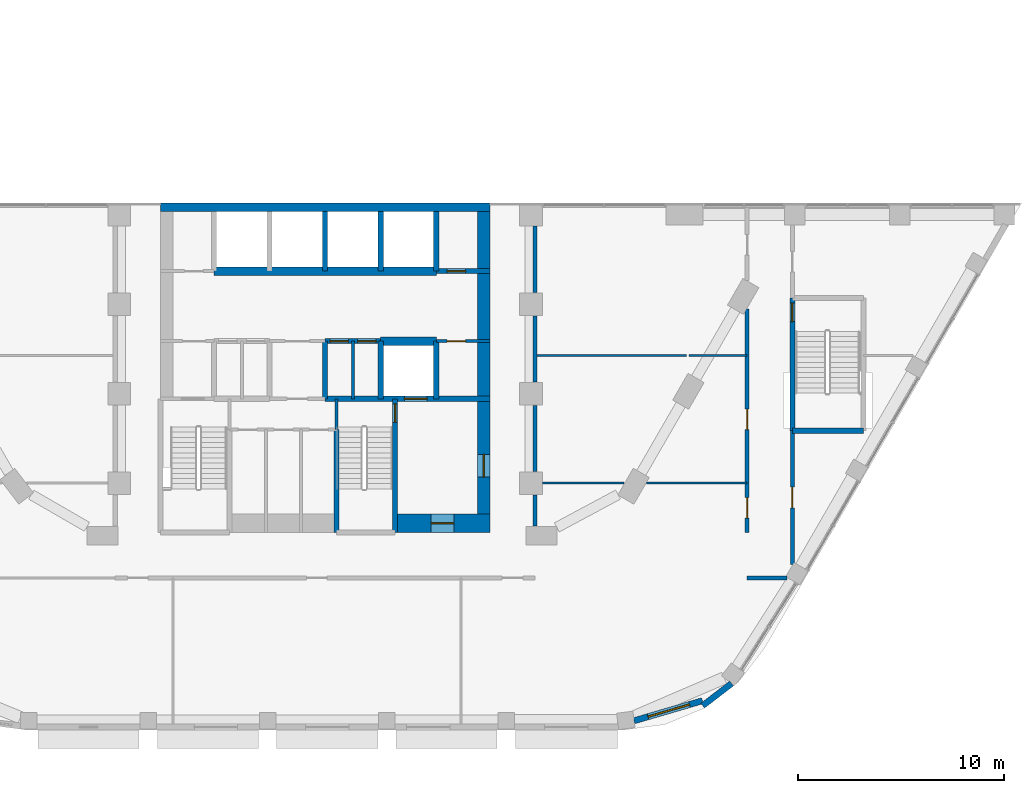
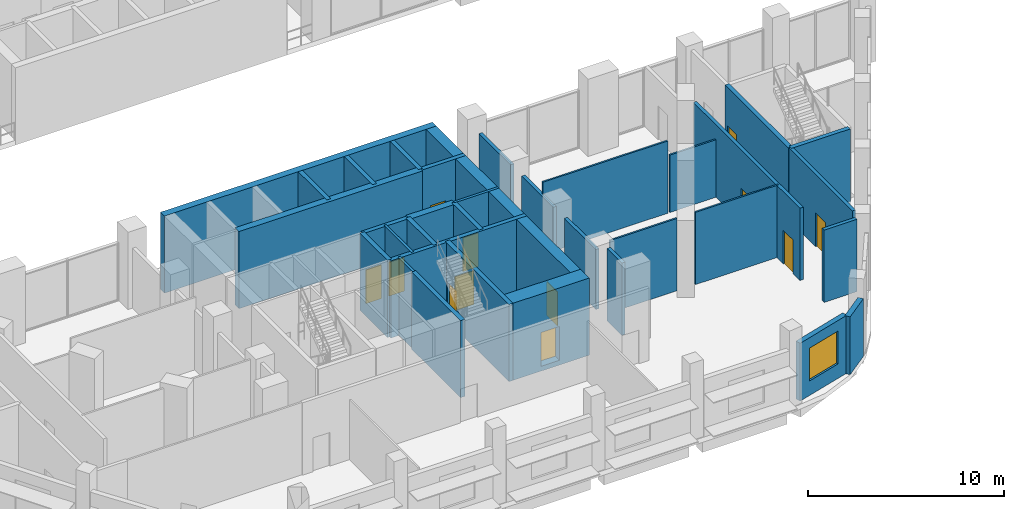
# One storey, part 17 of 45: 34 walls, 12 doors, 1 window, 13 openings.
"""IFC4 building model written with IfcOpenShell, lengths in metres."""

from ifc_helpers import new_model, si_unit, direction, frame, frame_2d, origin, place, context, subcontext, project, spatial, rectangle, extrude, material, layer, layer_set, type_object, element, fill, save


model = new_model("IFC4")

# Units and contexts
model_context = context("Model", 3, precision=1e-05, world=origin(), true_north=direction((0.0, 1.0)))
body_context = subcontext(model_context, "Body", "Model", "MODEL_VIEW")
ifc_project = project(units=[si_unit("LENGTHUNIT", "METRE"), si_unit("AREAUNIT", "SQUARE_METRE"), si_unit("VOLUMEUNIT", "CUBIC_METRE"), si_unit("PLANEANGLEUNIT", "RADIAN"), si_unit("MASSUNIT", "GRAM", prefix="KILO")], contexts=[model_context])

# Site, building, storey
site_placement = place(None, origin())
site = spatial("IfcSite", under=ifc_project, at=site_placement, CompositionType="ELEMENT")
building_placement = place(site_placement, origin())
building = spatial("IfcBuilding", under=site, at=building_placement, Name="Nakaniwa Court", CompositionType="ELEMENT")
storey_placement = place(building_placement, frame((0.0, 0.0, 6.60009765625)))
storey = spatial("IfcBuildingStorey", under=building, at=storey_placement, Name="L01", CompositionType="ELEMENT", Elevation=6.60009765625)

# Wall, opening, door
ifc_material_1 = material(Name="Acoustic double stud partition")
ifc_layer_1 = layer(ifc_material_1, 0.199951171875)
ifc_layer_set_1 = layer_set([ifc_layer_1], Name="Acoustic double stud partition")
wall_type_1 = type_object("IfcWallType", Name="Acoustic double stud partition 200", PredefinedType="PARTITIONING", material=ifc_layer_set_1)
wall_1_placement = place(storey_placement, frame((102.699951171875, 61.552978515625, 0.0), z_axis=(0.0, 0.0, 1.0), x_axis=(0.0, -1.0, 0.0)))
wall_1 = element("IfcWall", 1, at=wall_1_placement, inside=storey, type_object=wall_type_1, Name="Partition PW-083", PredefinedType="PARTITIONING", context=body_context, shape_type="SweptSolid", body=[
    extrude(rectangle(XDim=6.49853515625, YDim=0.199951171875, at=frame_2d((3.249267578125, 0.0))), origin(), (0.0, 0.0, 1.0), 4.5),
])
opening_1_placement = place(wall_1_placement, frame((2.75, 0.0, 0.0)))
opening_1 = element("IfcOpeningElement", 2, at=opening_1_placement, cuts=wall_1, Name="Opening D-02-10", PredefinedType="OPENING", context=body_context, shape_type="SweptSolid", body=[
    extrude(rectangle(XDim=1.0, YDim=2.10009765625, at=frame_2d((0.5, 1.050048828125))), frame((0.0, 0.10986328125, 0.0), z_axis=(0.0, -1.0, 0.0), x_axis=(1.0, 0.0, 0.0)), (0.0, 0.0, 1.0), 0.219970703125),
])
ifc_material_2 = material(Name="Solid core timber door set, black veneer", Category="wood")
door_type_1 = type_object("IfcDoorType", Name="Internal door 1000", OperationType="NOTDEFINED", PredefinedType="DOOR", material=ifc_material_2)
door_1_placement = place(opening_1_placement, origin())
door_1 = element("IfcDoor", 3, at=door_1_placement, inside=storey, type_object=door_type_1, Name="Door D-02-10 L01-045", OperationType="SINGLE_SWING_RIGHT", OverallHeight=2.10009765625, OverallWidth=1.0, PredefinedType="DOOR", context=body_context, shape_type="SweptSolid", body=[
    extrude(rectangle(XDim=1.0, YDim=2.10009765625, at=frame_2d((0.5, 1.050048828125))), frame((0.0, 0.02490234375, 0.0), z_axis=(0.0, -1.0, 0.0), x_axis=(1.0, 0.0, 0.0)), (0.0, 0.0, 1.0), 0.050048828125),
])
fill(opening_1, door_1)

# Wall, openings, doors
wall_2_placement = place(storey_placement, frame((100.5, 56.596923828125, 0.0), z_axis=(0.0, 0.0, 1.0), x_axis=(0.0, 1.0, 0.0)))
wall_2 = element("IfcWall", 4, at=wall_2_placement, inside=storey, type_object=wall_type_1, Name="Partition PW-087", PredefinedType="PARTITIONING", context=body_context, shape_type="SweptSolid", body=[
    extrude(rectangle(XDim=10.873291015625, YDim=0.199951171875, at=frame_2d((5.4365234375, 0.0))), origin(), (0.0, 0.0, 1.0), 4.5),
])
opening_2_placement = place(wall_2_placement, frame((5.0029296875, 0.0, 0.0)))
opening_2 = element("IfcOpeningElement", 5, at=opening_2_placement, cuts=wall_2, Name="Opening D-02-14", PredefinedType="OPENING", context=body_context, shape_type="SweptSolid", body=[
    extrude(rectangle(XDim=1.0, YDim=2.10009765625, at=frame_2d((0.5, 1.050048828125))), frame((0.0, 0.10986328125, 0.0), z_axis=(0.0, -1.0, 0.0), x_axis=(1.0, 0.0, 0.0)), (0.0, 0.0, 1.0), 0.219970703125),
])
opening_3_placement = place(wall_2_placement, frame((0.702880859375, 0.0, 0.0)))
opening_3 = element("IfcOpeningElement", 6, at=opening_3_placement, cuts=wall_2, Name="Opening D-02-15", PredefinedType="OPENING", context=body_context, shape_type="SweptSolid", body=[
    extrude(rectangle(XDim=1.0, YDim=2.10009765625, at=frame_2d((0.5, 1.050048828125))), frame((0.0, 0.10986328125, 0.0), z_axis=(0.0, -1.0, 0.0), x_axis=(1.0, 0.0, 0.0)), (0.0, 0.0, 1.0), 0.219970703125),
])
door_2_placement = place(opening_2_placement, origin())
door_2 = element("IfcDoor", 7, at=door_2_placement, inside=storey, type_object=door_type_1, Name="Door D-02-14 L01-049", OperationType="SINGLE_SWING_RIGHT", OverallHeight=2.10009765625, OverallWidth=1.0, PredefinedType="DOOR", context=body_context, shape_type="SweptSolid", body=[
    extrude(rectangle(XDim=1.0, YDim=2.10009765625, at=frame_2d((0.5, 1.050048828125))), frame((0.0, 0.02490234375, 0.0), z_axis=(0.0, -1.0, 0.0), x_axis=(1.0, 0.0, 0.0)), (0.0, 0.0, 1.0), 0.050048828125),
])
fill(opening_2, door_2)
door_3_placement = place(opening_3_placement, origin())
door_3 = element("IfcDoor", 8, at=door_3_placement, inside=storey, type_object=door_type_1, Name="Door D-02-15 L01-050", OperationType="SINGLE_SWING_LEFT", OverallHeight=2.10009765625, OverallWidth=1.0, PredefinedType="DOOR", context=body_context, shape_type="SweptSolid", body=[
    extrude(rectangle(XDim=1.0, YDim=2.10009765625, at=frame_2d((0.5, 1.050048828125))), frame((0.0, 0.02490234375, 0.0), z_axis=(0.0, -1.0, 0.0), x_axis=(1.0, 0.0, 0.0)), (0.0, 0.0, 1.0), 0.050048828125),
])
fill(opening_3, door_3)

# Walls
wall_3_placement = place(storey_placement, frame((90.199951171875, 56.9169921875, 0.0), z_axis=(0.0, 0.0, 1.0), x_axis=(0.0, 1.0, 0.0)))
element("IfcWall", 9, at=wall_3_placement, inside=storey, type_object=wall_type_1, Name="Partition PW-104", PredefinedType="PARTITIONING", context=body_context, shape_type="SweptSolid", body=[
    extrude(rectangle(XDim=1.51611328125, YDim=0.199951171875, at=frame_2d((0.758056640625, 0.0))), origin(), (0.0, 0.0, 1.0), 4.5),
])
for number, where, z_axis, x_axis, name in (
    (10, (90.199951171875, 59.56689453125, 0.0), (0.0, 0.0, 1.0), (0.0, 1.0, 0.0), "Partition PW-105"),
    (11, (90.199951171875, 63.9169921875, 0.0), (0.0, 0.0, 1.0), (0.0, 1.0, 0.0), "Partition PW-106"),
):
    element("IfcWall", number, at=place(storey_placement, frame(where, z_axis=z_axis, x_axis=x_axis)), inside=storey, type_object=wall_type_1, Name=name, PredefinedType="PARTITIONING", context=body_context, shape_type="SweptSolid", body=[
        extrude(rectangle(XDim=3.216064453125, YDim=0.199951171875, at=frame_2d((1.60791015625, 0.0))), origin(), (0.0, 0.0, 1.0), 3.72998046875),
    ])
wall_4_placement = place(storey_placement, frame((90.199951171875, 68.26708984375, 0.0), z_axis=(0.0, 0.0, 1.0), x_axis=(0.0, 1.0, 0.0)))
element("IfcWall", 12, at=wall_4_placement, inside=storey, type_object=wall_type_1, Name="Partition PW-107", PredefinedType="PARTITIONING", context=body_context, shape_type="SweptSolid", body=[
    extrude(rectangle(XDim=3.2158203125, YDim=0.199951171875, at=frame_2d((1.60791015625, 0.0))), origin(), (0.0, 0.0, 1.0), 3.72998046875),
])
wall_5_placement = place(storey_placement, frame((100.5, 54.39990234375, 0.0), z_axis=(0.0, 0.0, 1.0), x_axis=(1.0, 0.0, 0.0)))
element("IfcWall", 13, at=wall_5_placement, inside=storey, type_object=wall_type_1, Name="Partition PW-136", PredefinedType="PARTITIONING", context=body_context, shape_type="SweptSolid", body=[
    extrude(rectangle(XDim=1.93408203125, YDim=0.199951171875, at=frame_2d((0.967041015625, 0.0))), origin(), (0.0, 0.0, 1.0), 4.5),
])

# Wall, opening, window
ifc_material_3 = material(Name="Charcoal ceramic cladding")
ifc_layer_2 = layer(ifc_material_3, 0.02, Name="Ceramic cladding")
ifc_material_4 = material(Name="Ventilated air cavity")
ifc_layer_3 = layer(ifc_material_4, 0.04, ventilated=True, Name="Ventilated cavity")
ifc_material_5 = material(Name="Mineral wool insulation")
ifc_layer_4 = layer(ifc_material_5, 0.1, Name="Insulation")
ifc_material_6 = material(Name="Cement bonded sheathing board")
ifc_layer_5 = layer(ifc_material_6, 0.012, Name="Sheathing")
ifc_material_7 = material(Name="Cold-formed galvanised stud frame with mineral wool infill")
ifc_layer_6 = layer(ifc_material_7, 0.1, Name="Stud frame")
ifc_material_8 = material(Name="Fire-rated gypsum plasterboard lining")
ifc_layer_7 = layer(ifc_material_8, 0.028, Name="Lining")
ifc_layer_set_2 = layer_set([ifc_layer_2, ifc_layer_3, ifc_layer_4, ifc_layer_5, ifc_layer_6, ifc_layer_7], Name="Charcoal ceramic faced external wall system")
wall_type_2 = type_object("IfcWallType", Name="Black ceramic faced external wall 300", PredefinedType="SOLIDWALL", material=ifc_layer_set_2)
wall_6_placement = place(storey_placement, frame((95.00732421875, 47.45654296875, 0.0), z_axis=(0.0, 0.0, 1.0), x_axis=(0.959578633815, 0.281440660756, 0.0)))
wall_6 = element("IfcWall", 14, at=wall_6_placement, inside=storey, type_object=wall_type_2, Name="L01 external wall 24", PredefinedType="SOLIDWALL", context=body_context, shape_type="SweptSolid", body=[
    extrude(rectangle(XDim=3.461181640625, YDim=0.300048828125, at=frame_2d((1.73046875, 0.0))), origin(), (0.0, 0.0, 1.0), 3.599853515625),
])
opening_4_placement = place(wall_6_placement, frame((0.705810546875, 0.0, 0.89990234375)))
opening_4 = element("IfcOpeningElement", 15, at=opening_4_placement, cuts=wall_6, Name="Opening W2.13", PredefinedType="OPENING", context=body_context, shape_type="SweptSolid", body=[
    extrude(rectangle(XDim=2.10009765625, YDim=2.050048828125, at=frame_2d((1.050048828125, 1.02490234375))), frame((0.0, 0.159912109375, 0.0), z_axis=(0.0, -1.0, 0.0), x_axis=(1.0, 0.0, 0.0)), (0.0, 0.0, 1.0), 0.320068359375),
])
ifc_material_9 = material(Name="Black anodised aluminium frame with dark low-E laminated double glazing", Category="aluminium")
window_type = type_object("IfcWindowType", Name="Dark glass window 2100x2050 sill 900", PartitioningType="SINGLE_PANEL", PredefinedType="WINDOW", material=ifc_material_9)
window_placement = place(opening_4_placement, origin())
window = element("IfcWindow", 16, at=window_placement, inside=storey, type_object=window_type, Name="L01 habitable room window 24-0", OverallHeight=2.050048828125, OverallWidth=2.10009765625, PartitioningType="SINGLE_PANEL", PredefinedType="WINDOW", context=body_context, shape_type="SweptSolid", body=[
    extrude(rectangle(XDim=2.10009765625, YDim=2.050048828125, at=frame_2d((1.050048828125, 1.02490234375))), frame((0.0, 0.030029296875, 0.0), z_axis=(0.0, -1.0, 0.0), x_axis=(1.0, 0.0, 0.0)), (0.0, 0.0, 1.0), 0.06005859375),
])
fill(opening_4, window)

# Wall
wall_7_placement = place(storey_placement, frame((98.342529296875, 48.19091796875, 0.0), z_axis=(0.0, 0.0, 1.0), x_axis=(0.793403972369, 0.608695438318, 0.0)))
element("IfcWall", 17, at=wall_7_placement, inside=storey, type_object=wall_type_2, Name="L01 external wall 25", PredefinedType="SOLIDWALL", context=body_context, shape_type="SweptSolid", body=[
    extrude(rectangle(XDim=1.76708984375, YDim=0.300048828125, at=frame_2d((0.883544921875, 0.0))), origin(), (0.0, 0.0, 1.0), 3.599853515625),
])

# Wall, opening, door
ifc_material_10 = material(Name="Blockwork partition", Category="masonry")
ifc_layer_8 = layer(ifc_material_10, 0.14990234375)
ifc_layer_set_3 = layer_set([ifc_layer_8], Name="Blockwork partition")
wall_type_3 = type_object("IfcWallType", Name="Blockwork partition 150", PredefinedType="PARTITIONING", material=ifc_layer_set_3)
wall_8_placement = place(storey_placement, frame((88.0, 65.89990234375, 0.0), z_axis=(0.0, 0.0, 1.0), x_axis=(-1.0, 0.0, 0.0)))
wall_8 = element("IfcWall", 18, at=wall_8_placement, inside=storey, type_object=wall_type_3, Name="Partition PW-058", PredefinedType="PARTITIONING", context=body_context, shape_type="SweptSolid", body=[
    extrude(rectangle(XDim=2.60302734375, YDim=0.14990234375, at=frame_2d((1.301513671875, 0.0))), origin(), (0.0, 0.0, 1.0), 4.5),
])
opening_5_placement = place(wall_8_placement, frame((1.175048828125, 0.0, 0.0)))
opening_5 = element("IfcOpeningElement", 19, at=opening_5_placement, cuts=wall_8, Name="Opening D-05-17", PredefinedType="OPENING", context=body_context, shape_type="SweptSolid", body=[
    extrude(rectangle(XDim=0.89990234375, YDim=2.10009765625, at=frame_2d((0.449951171875, 1.050048828125))), frame((0.0, 0.0849609375, 0.0), z_axis=(0.0, -1.0, 0.0), x_axis=(1.0, 0.0, 0.0)), (0.0, 0.0, 1.0), 0.169921875),
])
ifc_material_11 = material(Name="Fire rated steel door set", Category="steel")
door_type_2 = type_object("IfcDoorType", Name="Service room door 900", OperationType="NOTDEFINED", PredefinedType="DOOR", material=ifc_material_11)
door_4_placement = place(opening_5_placement, origin())
door_4 = element("IfcDoor", 20, at=door_4_placement, inside=storey, type_object=door_type_2, Name="Door D-05-17 L01-024", OperationType="SINGLE_SWING_LEFT", OverallHeight=2.10009765625, OverallWidth=0.89990234375, PredefinedType="DOOR", context=body_context, shape_type="SweptSolid", body=[
    extrude(rectangle(XDim=0.89990234375, YDim=2.10009765625, at=frame_2d((0.449951171875, 1.050048828125))), frame((0.0, 0.02490234375, 0.0), z_axis=(0.0, -1.0, 0.0), x_axis=(1.0, 0.0, 0.0)), (0.0, 0.0, 1.0), 0.050048828125),
])
fill(opening_5, door_4)

# Wall
wall_9_placement = place(storey_placement, frame((81.35009765625, 63.10009765625, 0.0), z_axis=(0.0, 0.0, 1.0), x_axis=(0.0, 1.0, 0.0)))
element("IfcWall", 21, at=wall_9_placement, inside=storey, type_object=wall_type_3, Name="Partition PW-067", PredefinedType="PARTITIONING", context=body_context, shape_type="SweptSolid", body=[
    extrude(rectangle(XDim=2.7998046875, YDim=0.14990234375, at=frame_2d((1.39990234375, 0.0))), origin(), (0.0, 0.0, 1.0), 4.5),
])

# Wall, opening, door
ifc_material_12 = material(Name="Concrete C100/115", Category="concrete")
ifc_layer_9 = layer(ifc_material_12, 0.60009765625)
ifc_layer_set_4 = layer_set([ifc_layer_9], Name="Concrete C100/115")
wall_type_4 = type_object("IfcWallType", Name="Concrete core side wall 600 C100", PredefinedType="SHEAR", material=ifc_layer_set_4)
wall_10_placement = place(storey_placement, frame((87.699951171875, 72.199951171875, -0.300048828125), z_axis=(0.0, 0.0, 1.0), x_axis=(0.0, -1.0, 0.0)))
wall_10 = element("IfcWall", 22, at=wall_10_placement, inside=storey, type_object=wall_type_4, Name="Core wall SW-55", PredefinedType="SHEAR", context=body_context, shape_type="SweptSolid", body=[
    extrude(rectangle(XDim=15.599853515625, YDim=0.60009765625, at=frame_2d((7.7998046875, 0.0))), origin(), (0.0, 0.0, 1.0), 4.800048828125),
])
opening_6_placement = place(wall_10_placement, frame((11.800048828125, 0.0, 0.300048828125)))
opening_6 = element("IfcOpeningElement", 23, at=opening_6_placement, cuts=wall_10, Name="Opening D-10-03", PredefinedType="OPENING", context=body_context, shape_type="SweptSolid", body=[
    extrude(rectangle(XDim=1.10009765625, YDim=2.10009765625, at=frame_2d((0.550048828125, 1.050048828125))), frame((0.0, 0.31005859375, 0.0), z_axis=(0.0, -1.0, 0.0), x_axis=(1.0, 0.0, 0.0)), (0.0, 0.0, 1.0), 0.6201171875),
])
door_type_3 = type_object("IfcDoorType", Name="Firefighting lobby door 1100", OperationType="NOTDEFINED", PredefinedType="DOOR", material=ifc_material_11)
door_5_placement = place(opening_6_placement, origin())
door_5 = element("IfcDoor", 24, at=door_5_placement, inside=storey, type_object=door_type_3, Name="Door D-10-03 L01-059", OperationType="SINGLE_SWING_RIGHT", OverallHeight=2.10009765625, OverallWidth=1.10009765625, PredefinedType="DOOR", context=body_context, shape_type="SweptSolid", body=[
    extrude(rectangle(XDim=1.10009765625, YDim=2.10009765625, at=frame_2d((0.550048828125, 1.050048828125))), frame((0.0, 0.02490234375, 0.0), z_axis=(0.0, -1.0, 0.0), x_axis=(1.0, 0.0, 0.0)), (0.0, 0.0, 1.0), 0.050048828125),
])
fill(opening_6, door_5)

# Walls
ifc_layer_10 = layer(ifc_material_12, 0.39990234375)
ifc_layer_set_5 = layer_set([ifc_layer_10], Name="Concrete C100/115")
wall_type_5 = type_object("IfcWallType", Name="Concrete core spine wall 400 C100", PredefinedType="SHEAR", material=ifc_layer_set_5)
wall_11_placement = place(storey_placement, frame((74.60009765625, 69.300048828125, -0.300048828125), z_axis=(0.0, 0.0, 1.0), x_axis=(1.0, 0.0, 0.0)))
element("IfcWall", 25, at=wall_11_placement, inside=storey, type_object=wall_type_5, Name="Core wall SW-47", PredefinedType="SHEAR", context=body_context, shape_type="SweptSolid", body=[
    extrude(rectangle(XDim=10.7998046875, YDim=0.39990234375, at=frame_2d((5.39990234375, 0.0))), origin(), (0.0, 0.0, 1.0), 4.800048828125),
])
wall_12_placement = place(storey_placement, frame((82.697021484375, 65.89990234375, -0.300048828125), z_axis=(0.0, 0.0, 1.0), x_axis=(1.0, 0.0, 0.0)))
element("IfcWall", 26, at=wall_12_placement, inside=storey, type_object=wall_type_5, Name="Core wall SW-61", PredefinedType="SHEAR", context=body_context, shape_type="SweptSolid", body=[
    extrude(rectangle(XDim=2.7060546875, YDim=0.39990234375, at=frame_2d((1.35302734375, 0.0))), origin(), (0.0, 0.0, 1.0), 4.800048828125),
])
ifc_layer_11 = layer(ifc_material_12, 0.14990234375)
ifc_layer_set_6 = layer_set([ifc_layer_11], Name="Concrete C100/115")
wall_type_6 = type_object("IfcWallType", Name="Concrete core wall 150 C100", PredefinedType="SHEAR", material=ifc_layer_set_6)
wall_13_placement = place(storey_placement, frame((80.550048828125, 61.596923828125, -0.300048828125), z_axis=(0.0, 0.0, 1.0), x_axis=(0.0, 1.0, 0.0)))
element("IfcWall", 27, at=wall_13_placement, inside=storey, type_object=wall_type_6, Name="Core wall SW-74", PredefinedType="SHEAR", context=body_context, shape_type="SweptSolid", body=[
    extrude(rectangle(XDim=1.503173828125, YDim=0.14990234375, at=frame_2d((0.75146484375, 0.0))), origin(), (0.0, 0.0, 1.0), 4.800048828125),
])

# Wall, opening, door
ifc_layer_12 = layer(ifc_material_12, 0.25)
ifc_layer_set_7 = layer_set([ifc_layer_12], Name="Concrete C100/115")
wall_type_7 = type_object("IfcWallType", Name="Concrete core wall 250 C100", PredefinedType="SHEAR", material=ifc_layer_set_7)
wall_14_placement = place(storey_placement, frame((102.699951171875, 61.547119140625, -0.300048828125), z_axis=(0.0, 0.0, 1.0), x_axis=(0.0, 1.0, 0.0)))
wall_14 = element("IfcWall", 28, at=wall_14_placement, inside=storey, type_object=wall_type_7, Name="Core wall SW-81", PredefinedType="SHEAR", context=body_context, shape_type="SweptSolid", body=[
    extrude(rectangle(XDim=6.455810546875, YDim=0.25, at=frame_2d((3.22802734375, 0.0))), origin(), (0.0, 0.0, 1.0), 4.800048828125),
])
opening_7_placement = place(wall_14_placement, frame((5.305908203125, 0.0, 0.300048828125)))
opening_7 = element("IfcOpeningElement", 29, at=opening_7_placement, cuts=wall_14, Name="Opening D-11-05", PredefinedType="OPENING", context=body_context, shape_type="SweptSolid", body=[
    extrude(rectangle(XDim=0.89990234375, YDim=2.10009765625, at=frame_2d((0.449951171875, 1.050048828125))), frame((0.0, 0.135009765625, 0.0), z_axis=(0.0, -1.0, 0.0), x_axis=(1.0, 0.0, 0.0)), (0.0, 0.0, 1.0), 0.27001953125),
])
door_type_4 = type_object("IfcDoorType", Name="Stair door 900", OperationType="NOTDEFINED", PredefinedType="DOOR", material=ifc_material_11)
door_6_placement = place(opening_7_placement, origin())
door_6 = element("IfcDoor", 30, at=door_6_placement, inside=storey, type_object=door_type_4, Name="Door D-11-05 L01-042", OperationType="SINGLE_SWING_RIGHT", OverallHeight=2.10009765625, OverallWidth=0.89990234375, PredefinedType="DOOR", context=body_context, shape_type="SweptSolid", body=[
    extrude(rectangle(XDim=0.89990234375, YDim=2.10009765625, at=frame_2d((0.449951171875, 1.050048828125))), frame((0.0, 0.02490234375, 0.0), z_axis=(0.0, -1.0, 0.0), x_axis=(1.0, 0.0, 0.0)), (0.0, 0.0, 1.0), 0.050048828125),
])
fill(opening_7, door_6)

# Wall
wall_15_placement = place(storey_placement, frame((102.699951171875, 61.550048828125, -0.300048828125), z_axis=(0.0, 0.0, 1.0), x_axis=(1.0, 0.0, 0.0)))
element("IfcWall", 31, at=wall_15_placement, inside=storey, type_object=wall_type_7, Name="Core wall SW-140", PredefinedType="SHEAR", context=body_context, shape_type="SweptSolid", body=[
    extrude(rectangle(XDim=3.449951171875, YDim=0.25, at=frame_2d((1.72509765625, 0.0))), origin(), (0.0, 0.0, 1.0), 4.800048828125),
])

# Wall, opening, door
ifc_layer_13 = layer(ifc_material_12, 0.89990234375)
ifc_layer_set_8 = layer_set([ifc_layer_13], Name="Concrete C100/115")
wall_type_8 = type_object("IfcWallType", Name="Concrete core wall 900 C100", PredefinedType="SHEAR", material=ifc_layer_set_8)
wall_16_placement = place(storey_placement, frame((88.0, 57.050048828125, -0.300048828125), z_axis=(0.0, 0.0, 1.0), x_axis=(-1.0, 0.0, 0.0)))
wall_16 = element("IfcWall", 32, at=wall_16_placement, inside=storey, type_object=wall_type_8, Name="Core wall SW-77", PredefinedType="SHEAR", context=body_context, shape_type="SweptSolid", body=[
    extrude(rectangle(XDim=4.60009765625, YDim=0.89990234375, at=frame_2d((2.300048828125, 0.0))), origin(), (0.0, 0.0, 1.0), 4.800048828125),
])
opening_8_placement = place(wall_16_placement, frame((1.751953125, 0.0, 0.300048828125)))
opening_8 = element("IfcOpeningElement", 33, at=opening_8_placement, cuts=wall_16, Name="Opening D-10-04", PredefinedType="OPENING", context=body_context, shape_type="SweptSolid", body=[
    extrude(rectangle(XDim=1.10009765625, YDim=2.10009765625, at=frame_2d((0.550048828125, 1.050048828125))), frame((0.0, 0.4599609375, 0.0), z_axis=(0.0, -1.0, 0.0), x_axis=(1.0, 0.0, 0.0)), (0.0, 0.0, 1.0), 0.919921875),
])
door_7_placement = place(opening_8_placement, origin())
door_7 = element("IfcDoor", 34, at=door_7_placement, inside=storey, type_object=door_type_3, Name="Door D-10-04 L01-060", OperationType="SINGLE_SWING_LEFT", OverallHeight=2.10009765625, OverallWidth=1.10009765625, PredefinedType="DOOR", context=body_context, shape_type="SweptSolid", body=[
    extrude(rectangle(XDim=1.10009765625, YDim=2.10009765625, at=frame_2d((0.550048828125, 1.050048828125))), frame((0.0, 0.02490234375, 0.0), z_axis=(0.0, -1.0, 0.0), x_axis=(1.0, 0.0, 0.0)), (0.0, 0.0, 1.0), 0.050048828125),
])
fill(opening_8, door_7)

# Walls
ifc_layer_14 = layer(ifc_material_12, 0.39990234375)
ifc_layer_set_9 = layer_set([ifc_layer_14], Name="Concrete C100/115")
wall_type_9 = type_object("IfcWallType", Name="Concrete core well wall 400 C100", PredefinedType="SHEAR", material=ifc_layer_set_9)
wall_17_placement = place(storey_placement, frame((72.00390625, 72.39990234375, -0.300048828125), z_axis=(0.0, 0.0, 1.0), x_axis=(1.0, 0.0, 0.0)))
element("IfcWall", 35, at=wall_17_placement, inside=storey, type_object=wall_type_9, Name="Core wall SW-155", PredefinedType="SHEAR", context=body_context, shape_type="SweptSolid", body=[
    extrude(rectangle(XDim=15.9921875, YDim=0.39990234375, at=frame_2d((7.99609375, 0.0))), origin(), (0.0, 0.0, 1.0), 4.800048828125),
])
ifc_layer_15 = layer(ifc_material_12, 0.25)
ifc_layer_set_10 = layer_set([ifc_layer_15], Name="Concrete C100/115")
wall_type_10 = type_object("IfcWallType", Name="Concrete shaft wall 250 C100", PredefinedType="SHEAR", material=ifc_layer_set_10)
wall_18_placement = place(storey_placement, frame((80.0, 63.10009765625, -0.300048828125), z_axis=(0.0, 0.0, 1.0), x_axis=(0.0, 1.0, 0.0)))
element("IfcWall", 36, at=wall_18_placement, inside=storey, type_object=wall_type_10, Name="Core wall SW-48", PredefinedType="SHEAR", context=body_context, shape_type="SweptSolid", body=[
    extrude(rectangle(XDim=2.7998046875, YDim=0.25, at=frame_2d((1.39990234375, 0.0))), origin(), (0.0, 0.0, 1.0), 4.800048828125),
])
wall_19_placement = place(storey_placement, frame((80.0, 69.300048828125, -0.300048828125), z_axis=(0.0, 0.0, 1.0), x_axis=(0.0, 1.0, 0.0)))
element("IfcWall", 37, at=wall_19_placement, inside=storey, type_object=wall_type_10, Name="Core wall SW-49", PredefinedType="SHEAR", context=body_context, shape_type="SweptSolid", body=[
    extrude(rectangle(XDim=2.89990234375, YDim=0.25, at=frame_2d((1.449951171875, 0.0))), origin(), (0.0, 0.0, 1.0), 4.800048828125),
])
wall_20_placement = place(storey_placement, frame((82.699951171875, 63.10009765625, -0.300048828125), z_axis=(0.0, 0.0, 1.0), x_axis=(0.0, 1.0, 0.0)))
element("IfcWall", 38, at=wall_20_placement, inside=storey, type_object=wall_type_10, Name="Core wall SW-50", PredefinedType="SHEAR", context=body_context, shape_type="SweptSolid", body=[
    extrude(rectangle(XDim=2.7998046875, YDim=0.25, at=frame_2d((1.39990234375, 0.0))), origin(), (0.0, 0.0, 1.0), 4.800048828125),
])
wall_21_placement = place(storey_placement, frame((82.699951171875, 69.300048828125, -0.300048828125), z_axis=(0.0, 0.0, 1.0), x_axis=(0.0, 1.0, 0.0)))
element("IfcWall", 39, at=wall_21_placement, inside=storey, type_object=wall_type_10, Name="Core wall SW-51", PredefinedType="SHEAR", context=body_context, shape_type="SweptSolid", body=[
    extrude(rectangle(XDim=2.89990234375, YDim=0.25, at=frame_2d((1.449951171875, 0.0))), origin(), (0.0, 0.0, 1.0), 4.800048828125),
])
wall_22_placement = place(storey_placement, frame((85.39990234375, 63.10009765625, -0.300048828125), z_axis=(0.0, 0.0, 1.0), x_axis=(0.0, 1.0, 0.0)))
element("IfcWall", 40, at=wall_22_placement, inside=storey, type_object=wall_type_10, Name="Core wall SW-52", PredefinedType="SHEAR", context=body_context, shape_type="SweptSolid", body=[
    extrude(rectangle(XDim=2.7998046875, YDim=0.25, at=frame_2d((1.39990234375, 0.0))), origin(), (0.0, 0.0, 1.0), 4.800048828125),
])
wall_23_placement = place(storey_placement, frame((85.39990234375, 69.300048828125, -0.300048828125), z_axis=(0.0, 0.0, 1.0), x_axis=(0.0, 1.0, 0.0)))
element("IfcWall", 41, at=wall_23_placement, inside=storey, type_object=wall_type_10, Name="Core wall SW-53", PredefinedType="SHEAR", context=body_context, shape_type="SweptSolid", body=[
    extrude(rectangle(XDim=2.89990234375, YDim=0.25, at=frame_2d((1.449951171875, 0.0))), origin(), (0.0, 0.0, 1.0), 4.800048828125),
])

# Wall, opening, door
wall_24_placement = place(storey_placement, frame((85.39990234375, 69.300048828125, -0.300048828125), z_axis=(0.0, 0.0, 1.0), x_axis=(1.0, 0.0, 0.0)))
wall_24 = element("IfcWall", 42, at=wall_24_placement, inside=storey, type_object=wall_type_10, Name="Core wall SW-54", PredefinedType="SHEAR", context=body_context, shape_type="SweptSolid", body=[
    extrude(rectangle(XDim=2.60009765625, YDim=0.25, at=frame_2d((1.300048828125, 0.0))), origin(), (0.0, 0.0, 1.0), 4.800048828125),
])
opening_9_placement = place(wall_24_placement, frame((0.52490234375, 0.0, 0.300048828125)))
opening_9 = element("IfcOpeningElement", 43, at=opening_9_placement, cuts=wall_24, Name="Opening D-05-12", PredefinedType="OPENING", context=body_context, shape_type="SweptSolid", body=[
    extrude(rectangle(XDim=0.89990234375, YDim=2.10009765625, at=frame_2d((0.449951171875, 1.050048828125))), frame((0.0, 0.135009765625, 0.0), z_axis=(0.0, -1.0, 0.0), x_axis=(1.0, 0.0, 0.0)), (0.0, 0.0, 1.0), 0.27001953125),
])
door_8_placement = place(opening_9_placement, origin())
door_8 = element("IfcDoor", 44, at=door_8_placement, inside=storey, type_object=door_type_2, Name="Door D-05-12 L01-017", OperationType="SINGLE_SWING_RIGHT", OverallHeight=2.10009765625, OverallWidth=0.89990234375, PredefinedType="DOOR", context=body_context, shape_type="SweptSolid", body=[
    extrude(rectangle(XDim=0.89990234375, YDim=2.10009765625, at=frame_2d((0.449951171875, 1.050048828125))), frame((0.0, 0.02490234375, 0.0), z_axis=(0.0, -1.0, 0.0), x_axis=(1.0, 0.0, 0.0)), (0.0, 0.0, 1.0), 0.050048828125),
])
fill(opening_9, door_8)

# Wall, openings, doors
wall_25_placement = place(storey_placement, frame((82.702880859375, 65.89990234375, -0.300048828125), z_axis=(0.0, 0.0, 1.0), x_axis=(-1.0, 0.0, 0.0)))
wall_25 = element("IfcWall", 45, at=wall_25_placement, inside=storey, type_object=wall_type_10, Name="Core wall SW-60", PredefinedType="SHEAR", context=body_context, shape_type="SweptSolid", body=[
    extrude(rectangle(XDim=2.705810546875, YDim=0.25, at=frame_2d((1.35302734375, 0.0))), origin(), (0.0, 0.0, 1.0), 4.800048828125),
])
opening_10_placement = place(wall_25_placement, frame((1.577880859375, 0.0, 0.300048828125)))
opening_10 = element("IfcOpeningElement", 46, at=opening_10_placement, cuts=wall_25, Name="Opening D-05-15", PredefinedType="OPENING", context=body_context, shape_type="SweptSolid", body=[
    extrude(rectangle(XDim=0.89990234375, YDim=2.10009765625, at=frame_2d((0.449951171875, 1.050048828125))), frame((0.0, 0.135009765625, 0.0), z_axis=(0.0, -1.0, 0.0), x_axis=(1.0, 0.0, 0.0)), (0.0, 0.0, 1.0), 0.27001953125),
])
opening_11_placement = place(wall_25_placement, frame((0.22802734375, 0.0, 0.300048828125)))
opening_11 = element("IfcOpeningElement", 47, at=opening_11_placement, cuts=wall_25, Name="Opening D-05-16", PredefinedType="OPENING", context=body_context, shape_type="SweptSolid", body=[
    extrude(rectangle(XDim=0.89990234375, YDim=2.10009765625, at=frame_2d((0.449951171875, 1.050048828125))), frame((0.0, 0.135009765625, 0.0), z_axis=(0.0, -1.0, 0.0), x_axis=(1.0, 0.0, 0.0)), (0.0, 0.0, 1.0), 0.27001953125),
])
door_9_placement = place(opening_10_placement, origin())
door_9 = element("IfcDoor", 48, at=door_9_placement, inside=storey, type_object=door_type_2, Name="Door D-05-15 L01-022", OperationType="SINGLE_SWING_LEFT", OverallHeight=2.10009765625, OverallWidth=0.89990234375, PredefinedType="DOOR", context=body_context, shape_type="SweptSolid", body=[
    extrude(rectangle(XDim=0.89990234375, YDim=2.10009765625, at=frame_2d((0.449951171875, 1.050048828125))), frame((0.0, 0.02490234375, 0.0), z_axis=(0.0, -1.0, 0.0), x_axis=(1.0, 0.0, 0.0)), (0.0, 0.0, 1.0), 0.050048828125),
])
fill(opening_10, door_9)
door_10_placement = place(opening_11_placement, origin())
door_10 = element("IfcDoor", 49, at=door_10_placement, inside=storey, type_object=door_type_2, Name="Door D-05-16 L01-023", OperationType="SINGLE_SWING_RIGHT", OverallHeight=2.10009765625, OverallWidth=0.89990234375, PredefinedType="DOOR", context=body_context, shape_type="SweptSolid", body=[
    extrude(rectangle(XDim=0.89990234375, YDim=2.10009765625, at=frame_2d((0.449951171875, 1.050048828125))), frame((0.0, 0.02490234375, 0.0), z_axis=(0.0, -1.0, 0.0), x_axis=(1.0, 0.0, 0.0)), (0.0, 0.0, 1.0), 0.050048828125),
])
fill(opening_11, door_10)

# Wall, opening, door
wall_26_placement = place(storey_placement, frame((80.0, 63.10009765625, -0.300048828125), z_axis=(0.0, 0.0, 1.0), x_axis=(1.0, 0.0, 0.0)))
wall_26 = element("IfcWall", 50, at=wall_26_placement, inside=storey, type_object=wall_type_10, Name="Core wall SW-65", PredefinedType="SHEAR", context=body_context, shape_type="SweptSolid", body=[
    extrude(rectangle(XDim=8.0, YDim=0.25, at=frame_2d((4.0, 0.0))), origin(), (0.0, 0.0, 1.0), 4.800048828125),
])
opening_12_placement = place(wall_26_placement, frame((3.84912109375, 0.0, 0.300048828125)))
opening_12 = element("IfcOpeningElement", 51, at=opening_12_placement, cuts=wall_26, Name="Opening LD02", PredefinedType="OPENING", context=body_context, shape_type="SweptSolid", body=[
    extrude(rectangle(XDim=1.10009765625, YDim=2.10009765625, at=frame_2d((0.550048828125, 1.050048828125))), frame((0.0, 0.135009765625, 0.0), z_axis=(0.0, -1.0, 0.0), x_axis=(1.0, 0.0, 0.0)), (0.0, 0.0, 1.0), 0.27001953125),
])
ifc_material_13 = material(Name="Stainless steel sliding lift landing door", Category="steel")
door_type_5 = type_object("IfcDoorType", Name="Lift landing door 1100", OperationType="NOTDEFINED", PredefinedType="DOOR", material=ifc_material_13)
door_11_placement = place(opening_12_placement, origin())
door_11 = element("IfcDoor", 52, at=door_11_placement, inside=storey, type_object=door_type_5, Name="Lift landing door LD02 L01-002", OperationType="SLIDING_TO_LEFT", OverallHeight=2.10009765625, OverallWidth=1.10009765625, PredefinedType="DOOR", context=body_context, shape_type="SweptSolid", body=[
    extrude(rectangle(XDim=1.10009765625, YDim=2.10009765625, at=frame_2d((0.550048828125, 1.050048828125))), frame((0.0, 0.02490234375, 0.0), z_axis=(0.0, -1.0, 0.0), x_axis=(1.0, 0.0, 0.0)), (0.0, 0.0, 1.0), 0.050048828125),
])
fill(opening_12, door_11)

wall_27_placement = place(storey_placement, frame((83.39990234375, 63.10009765625, -0.300048828125), z_axis=(0.0, 0.0, 1.0), x_axis=(0.0, -1.0, 0.0)))
wall_27 = element("IfcWall", 53, at=wall_27_placement, inside=storey, type_object=wall_type_10, Name="Core wall SW-73", PredefinedType="SHEAR", context=body_context, shape_type="SweptSolid", body=[
    extrude(rectangle(XDim=6.5, YDim=0.25, at=frame_2d((3.25, 0.0))), origin(), (0.0, 0.0, 1.0), 4.800048828125),
])
opening_13_placement = place(wall_27_placement, frame((0.25, 0.0, 0.300048828125)))
opening_13 = element("IfcOpeningElement", 54, at=opening_13_placement, cuts=wall_27, Name="Opening D-11-02", PredefinedType="OPENING", context=body_context, shape_type="SweptSolid", body=[
    extrude(rectangle(XDim=0.89990234375, YDim=2.10009765625, at=frame_2d((0.449951171875, 1.050048828125))), frame((0.0, 0.135009765625, 0.0), z_axis=(0.0, -1.0, 0.0), x_axis=(1.0, 0.0, 0.0)), (0.0, 0.0, 1.0), 0.27001953125),
])
door_12_placement = place(opening_13_placement, origin())
door_12 = element("IfcDoor", 55, at=door_12_placement, inside=storey, type_object=door_type_4, Name="Door D-11-02 L01-030", OperationType="SINGLE_SWING_RIGHT", OverallHeight=2.10009765625, OverallWidth=0.89990234375, PredefinedType="DOOR", context=body_context, shape_type="SweptSolid", body=[
    extrude(rectangle(XDim=0.89990234375, YDim=2.10009765625, at=frame_2d((0.449951171875, 1.050048828125))), frame((0.0, 0.02490234375, 0.0), z_axis=(0.0, -1.0, 0.0), x_axis=(1.0, 0.0, 0.0)), (0.0, 0.0, 1.0), 0.050048828125),
])
fill(opening_13, door_12)

# Walls
wall_28_placement = place(storey_placement, frame((80.550048828125, 56.60009765625, -0.300048828125), z_axis=(0.0, 0.0, 1.0), x_axis=(0.0, 1.0, 0.0)))
element("IfcWall", 56, at=wall_28_placement, inside=storey, type_object=wall_type_10, Name="Core wall SW-75", PredefinedType="SHEAR", context=body_context, shape_type="SweptSolid", body=[
    extrude(rectangle(XDim=5.0029296875, YDim=0.25, at=frame_2d((2.50146484375, 0.0))), origin(), (0.0, 0.0, 1.0), 4.800048828125),
])
ifc_material_14 = material(Name="Single stud plasterboard partition")
ifc_layer_16 = layer(ifc_material_14, 0.10009765625)
ifc_layer_set_11 = layer_set([ifc_layer_16], Name="Single stud plasterboard partition")
wall_type_11 = type_object("IfcWallType", Name="Single stud plasterboard partition 100", PredefinedType="PARTITIONING", material=ifc_layer_set_11)
wall_29_placement = place(storey_placement, frame((90.199951171875, 65.199951171875, 0.0), z_axis=(0.0, 0.0, 1.0), x_axis=(1.0, 0.0, 0.0)))
element("IfcWall", 57, at=wall_29_placement, inside=storey, type_object=wall_type_11, Name="Partition PW-144", PredefinedType="PARTITIONING", context=body_context, shape_type="SweptSolid", body=[
    extrude(rectangle(XDim=7.366455078125, YDim=0.10009765625, at=frame_2d((3.68310546875, 0.0))), origin(), (0.0, 0.0, 1.0), 4.5),
])
wall_30_placement = place(storey_placement, frame((97.680419921875, 65.199951171875, 0.0), z_axis=(0.0, 0.0, 1.0), x_axis=(1.0, 0.0, 0.0)))
element("IfcWall", 58, at=wall_30_placement, inside=storey, type_object=wall_type_11, Name="Partition PW-145", PredefinedType="PARTITIONING", context=body_context, shape_type="SweptSolid", body=[
    extrude(rectangle(XDim=2.819580078125, YDim=0.10009765625, at=frame_2d((1.40966796875, 0.0))), origin(), (0.0, 0.0, 1.0), 3.579833984375),
])
wall_31_placement = place(storey_placement, frame((90.570068359375, 59.0, 0.0), z_axis=(0.0, 0.0, 1.0), x_axis=(1.0, 0.0, 0.0)))
element("IfcWall", 59, at=wall_31_placement, inside=storey, type_object=wall_type_11, Name="Partition PW-149", PredefinedType="PARTITIONING", context=body_context, shape_type="SweptSolid", body=[
    extrude(rectangle(XDim=3.9560546875, YDim=0.10009765625, at=frame_2d((1.97802734375, 0.0))), origin(), (0.0, 0.0, 1.0), 4.5),
])
wall_32_placement = place(storey_placement, frame((95.611572265625, 59.0, 0.0), z_axis=(0.0, 0.0, 1.0), x_axis=(1.0, 0.0, 0.0)))
element("IfcWall", 60, at=wall_32_placement, inside=storey, type_object=wall_type_11, Name="Partition PW-150", PredefinedType="PARTITIONING", context=body_context, shape_type="SweptSolid", body=[
    extrude(rectangle(XDim=4.888427734375, YDim=0.10009765625, at=frame_2d((2.4443359375, 0.0))), origin(), (0.0, 0.0, 1.0), 4.5),
])

save(model, "model.ifc")
